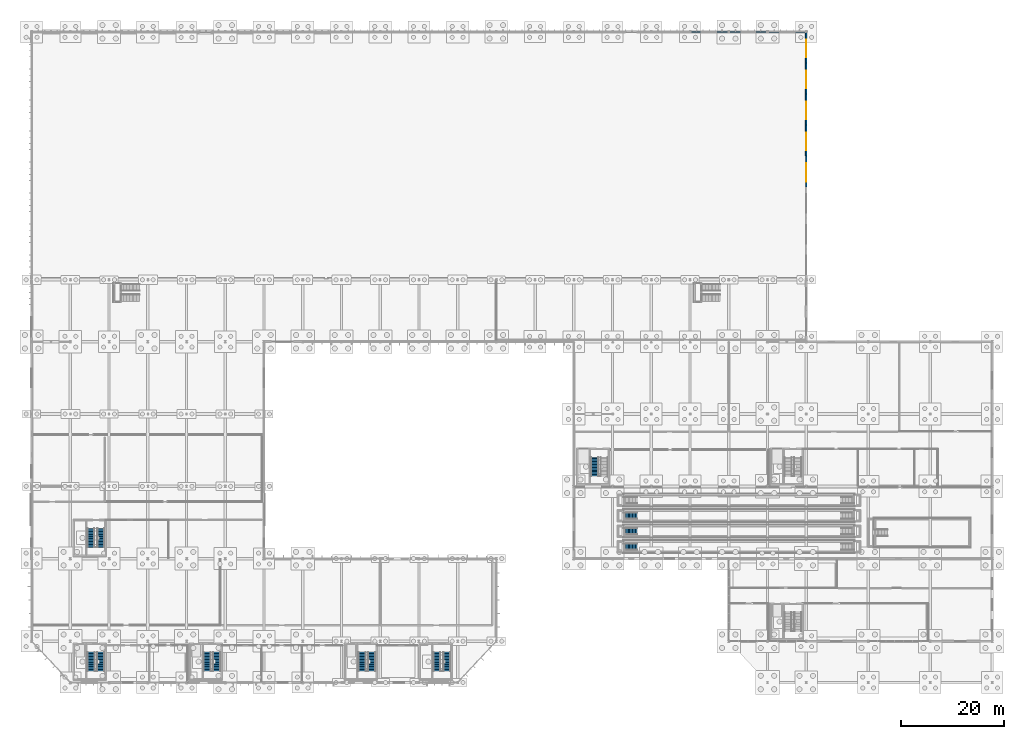
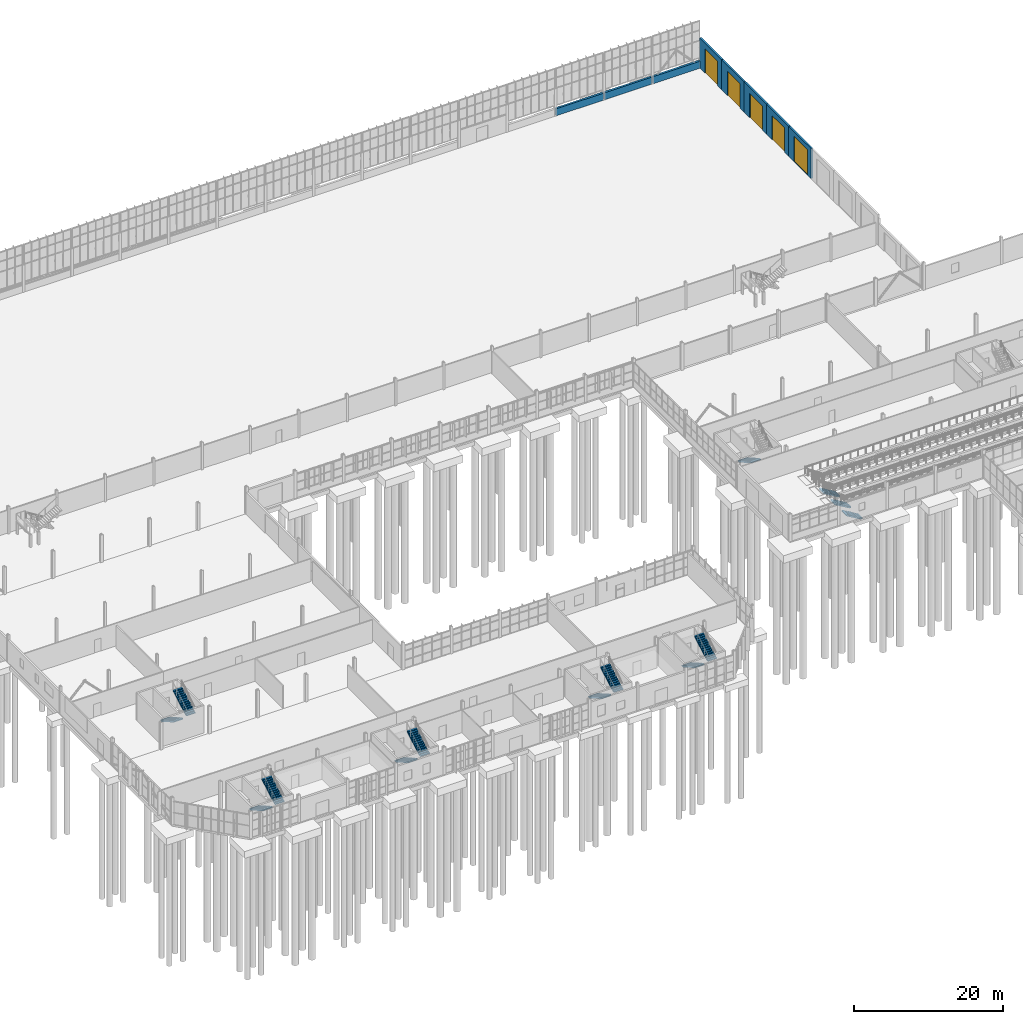
# One storey, part 117 of 136: 14 stair flights, 8 walls, 5 doors, 5 openings, 9 elements without a shape of their own.
"""IFC4 building model written with IfcOpenShell, lengths in metres."""

import ifcopenshell
import ifcopenshell.guid

model = None  # the IFC model being written
_history = None  # IfcOwnerHistory: only IFC2X3 demands one
_inside = {}  # id of a spatial element -> (the spatial element, [elements in it])
_under = {}  # id of a project, library or spatial element -> (it, [spatial elements below it])
_declared = {}  # id of a project -> (the project, [libraries it declares])
_typed = {}  # id of a type object -> (the type object, [elements of that type])
_made_of = {}  # id of a material, layer set ... -> (it, [elements and type objects made of it])


def new_model(schema):
    """Start an empty IFC model of exactly this schema.

    Asked for "IFC4X3", IfcOpenShell would pick the latest addendum, in which some entities
    have other attributes; the version numbers below select the first issue.
    IFC2X3 requires an IfcOwnerHistory on every rooted entity: one is made here for all.
    """
    global model, _history
    if schema == "IFC4X3":
        model = ifcopenshell.file(schema_version=(4, 3, 0, 0))
    else:
        model = ifcopenshell.file(schema=schema)
    _inside.clear()
    _under.clear()
    _declared.clear()
    _typed.clear()
    _made_of.clear()
    _history = None
    if model.schema == "IFC2X3":
        org = make("IfcOrganization", Name="unknown")
        user = make(
            "IfcPersonAndOrganization",
            ThePerson=make("IfcPerson", FamilyName="unknown"),
            TheOrganization=org,
        )
        app = make(
            "IfcApplication",
            ApplicationDeveloper=org,
            Version="unknown",
            ApplicationFullName="unknown",
            ApplicationIdentifier="unknown",
        )
        _history = make(
            "IfcOwnerHistory",
            OwningUser=user,
            OwningApplication=app,
            ChangeAction="ADDED",
            CreationDate=0,
        )
    return model


def make(cls, **values):
    """One entity of the class cls with the attributes given. An attribute that is None is left unset."""
    return model.create_entity(
        cls, **{name: value for name, value in values.items() if value is not None}
    )


def rooted(cls, **values):
    """An entity with a GlobalId (a new one), such as an element, a storey or a relation."""
    return make(cls, GlobalId=ifcopenshell.guid.new(), OwnerHistory=_history, **values)


def si_unit(unit_type, name, prefix=None):
    """IfcSIUnit, for example si_unit("LENGTHUNIT", "METRE", prefix="MILLI")."""
    return make("IfcSIUnit", UnitType=unit_type, Prefix=prefix, Name=name)


def assignment(units):
    """IfcUnitAssignment: the units of a project."""
    return None if units is None else make("IfcUnitAssignment", Units=units)


def point(xyz):
    """IfcCartesianPoint."""
    return None if xyz is None else make("IfcCartesianPoint", Coordinates=xyz)


def direction(xyz):
    """IfcDirection."""
    return None if xyz is None else make("IfcDirection", DirectionRatios=xyz)


def frame(location, z_axis=None, x_axis=None):
    """IfcAxis2Placement3D, a coordinate frame: its origin and axes. An axis left out is left unset."""
    return make(
        "IfcAxis2Placement3D",
        Location=point(location),
        Axis=direction(z_axis),
        RefDirection=direction(x_axis),
    )


def frame_2d(location, x_axis=None):
    """IfcAxis2Placement2D, a coordinate frame in the plane: its origin and x axis."""
    return make(
        "IfcAxis2Placement2D", Location=point(location), RefDirection=direction(x_axis)
    )


def origin():
    """The frame at (0, 0, 0) with its axes left unset."""
    return frame((0.0, 0.0, 0.0))


def place(relative_to, where):
    """IfcLocalPlacement: puts the frame where relative to a parent placement (None: the world)."""
    return make(
        "IfcLocalPlacement", PlacementRelTo=relative_to, RelativePlacement=where
    )


def context(
    kind, dimensions, precision=None, world=None, true_north=None, identifier=None
):
    """IfcGeometricRepresentationContext, for example the 3D "Model" context."""
    return make(
        "IfcGeometricRepresentationContext",
        ContextIdentifier=identifier,
        ContextType=kind,
        CoordinateSpaceDimension=dimensions,
        Precision=precision,
        WorldCoordinateSystem=world,
        TrueNorth=true_north,
    )


def subcontext(parent, identifier, kind, view, scale=None):
    """IfcGeometricRepresentationSubContext, for example "Body" below "Model"."""
    return make(
        "IfcGeometricRepresentationSubContext",
        ContextIdentifier=identifier,
        ContextType=kind,
        ParentContext=parent,
        TargetScale=scale,
        TargetView=view,
    )


def project(units=None, contexts=None):
    """IfcProject with its units and contexts."""
    return rooted(
        "IfcProject",
        Name="project",
        RepresentationContexts=contexts,
        UnitsInContext=assignment(units),
    )


def spatial(cls, under=None, at=None, **own):
    """A site, building, storey or space (cls), placed at a placement, below another one or the project."""
    s = rooted(cls, ObjectPlacement=at, **own)
    if under is not None:
        _under.setdefault(under.id(), (under, []))[1].append(s)
    return s


def polyline(points):
    """IfcPolyline through the points."""
    return make("IfcPolyline", Points=[point(p) for p in points])


def profile(cls, at=None, kind="AREA", **sizes):
    """A parametric profile (cls). Its sizes go by their IFC names, for example OverallWidth=200.0."""
    return make(cls, ProfileType=kind, Position=at, **sizes)


def rectangle(**sizes):
    """IfcRectangleProfileDef."""
    return profile("IfcRectangleProfileDef", **sizes)


def outline(outer, holes=None, kind="AREA"):
    """IfcArbitraryClosedProfileDef: a profile drawn as a closed curve; with holes, ...WithVoids."""
    if holes is None:
        return make("IfcArbitraryClosedProfileDef", ProfileType=kind, OuterCurve=outer)
    return make(
        "IfcArbitraryProfileDefWithVoids",
        ProfileType=kind,
        OuterCurve=outer,
        InnerCurves=holes,
    )


def extrude(swept, where, along, depth):
    """IfcExtrudedAreaSolid: the profile swept, set in the frame where, extruded along a direction by depth."""
    return make(
        "IfcExtrudedAreaSolid",
        SweptArea=swept,
        Position=where,
        ExtrudedDirection=direction(along),
        Depth=depth,
    )


def shape(context_of_items, identifier, shape_type, items):
    """IfcShapeRepresentation: the items that make up one representation, for example the "Body"."""
    return make(
        "IfcShapeRepresentation",
        ContextOfItems=context_of_items,
        RepresentationIdentifier=identifier,
        RepresentationType=shape_type,
        Items=items,
    )


def material(Name=None, Category=None):
    """IfcMaterial."""
    return make("IfcMaterial", Name=Name, Category=Category)


def layer(
    of_material, thickness, ventilated=None, Name=None, Category=None, Priority=None
):
    """IfcMaterialLayer: one layer of a wall or slab, of a material (None: an air gap)."""
    return make(
        "IfcMaterialLayer",
        Material=of_material,
        LayerThickness=thickness,
        IsVentilated=ventilated,
        Name=Name,
        Category=Category,
        Priority=Priority,
    )


def layer_set(layers, Name=None):
    """IfcMaterialLayerSet."""
    return make("IfcMaterialLayerSet", MaterialLayers=layers, LayerSetName=Name)


def made_of(thing, what):
    """Note that an element or type object is made of a material, layer set ...; save() writes the relation."""
    if what is not None:
        _made_of.setdefault(what.id(), (what, []))[1].append(thing)
    return thing


def type_object(cls, material=None, **own):
    """A type object (cls), such as IfcWallType, which elements share."""
    return made_of(rooted(cls, **own), material)


def element(
    cls,
    number,
    at=None,
    inside=None,
    cuts=None,
    type_object=None,
    material=None,
    context=None,
    identifier="Body",
    shape_type=None,
    held_by="IfcProductDefinitionShape",
    body=None,
    shapes=None,
    **own,
):
    """One element of the class cls, such as IfcWall. Its Tag is "e" and its number.

    at: its placement. inside: the storey or other place that contains it. cuts: it is an
    opening in that element (IfcRelVoidsElement). A single representation is given by context,
    identifier, shape_type and body (its items); several are given by shapes. held_by: the class
    of the entity that holds the representations. save() writes the other relations.
    """
    e = rooted(cls, Tag="e%d" % number, ObjectPlacement=at, **own)
    if body is not None:
        shapes = [shape(context, identifier, shape_type, body)]
    if shapes is not None:
        e.Representation = make(held_by, Representations=shapes)
    if inside is not None:
        _inside.setdefault(inside.id(), (inside, []))[1].append(e)
    if cuts is not None:
        rooted(
            "IfcRelVoidsElement", RelatingBuildingElement=cuts, RelatedOpeningElement=e
        )
    if type_object is not None:
        _typed.setdefault(type_object.id(), (type_object, []))[1].append(e)
    return made_of(e, material)


def fill(opening, filler):
    """IfcRelFillsElement: the door or window that sits in an opening."""
    return rooted(
        "IfcRelFillsElement",
        RelatingOpeningElement=opening,
        RelatedBuildingElement=filler,
    )


def aggregate(whole, parts):
    """IfcRelAggregates: a whole, such as a stair, and the parts it consists of."""
    return rooted("IfcRelAggregates", RelatingObject=whole, RelatedObjects=parts)


def save(model, path):
    """Write the relations noted so far, then the file.

    IfcRelAggregates (storeys below a building ...), IfcRelContainedInSpatialStructure (elements
    in a storey), IfcRelDefinesByType, IfcRelAssociatesMaterial and IfcRelDeclares: one each for
    every whole, place, type object, material and project.
    """
    for whole, parts in _under.values():
        aggregate(whole, parts)
    for where, things in _inside.values():
        rooted(
            "IfcRelContainedInSpatialStructure",
            RelatedElements=things,
            RelatingStructure=where,
        )
    for kind, things in _typed.values():
        rooted("IfcRelDefinesByType", RelatedObjects=things, RelatingType=kind)
    for what, things in _made_of.values():
        rooted("IfcRelAssociatesMaterial", RelatedObjects=things, RelatingMaterial=what)
    for by, libraries in _declared.values():
        rooted("IfcRelDeclares", RelatingContext=by, RelatedDefinitions=libraries)
    model.write(path)


model = new_model("IFC4")

# Units and contexts
model_context = context("Model", 3, precision=1e-05, world=origin(), true_north=direction((0.0, 1.0)))
body_context = subcontext(model_context, "Body", "Model", "MODEL_VIEW")
ifc_project = project(units=[si_unit("LENGTHUNIT", "METRE"), si_unit("AREAUNIT", "SQUARE_METRE"), si_unit("VOLUMEUNIT", "CUBIC_METRE"), si_unit("PLANEANGLEUNIT", "RADIAN"), si_unit("MASSUNIT", "GRAM", prefix="KILO")], contexts=[model_context])

# Site, building, storey
site_placement = place(None, origin())
site = spatial("IfcSite", under=ifc_project, at=site_placement, CompositionType="ELEMENT")
building_placement = place(site_placement, origin())
building = spatial("IfcBuilding", under=site, at=building_placement, Name="Solvenia Promenade Tram Depot", CompositionType="ELEMENT")
storey_placement = place(building_placement, origin())
storey = spatial("IfcBuildingStorey", under=building, at=storey_placement, Name="L00", CompositionType="ELEMENT", Elevation=0.0)

# Walls
ifc_material_1 = material(Name="Concrete C35/45", Category="concrete")
ifc_layer_1 = layer(ifc_material_1, 0.320068359375, Name="Concrete C35/45", Category="concrete")
ifc_layer_set_1 = layer_set([ifc_layer_1], Name="Concrete C35/45")
wall_type_1 = type_object("IfcWallType", Name="Wall-Plinth-320", PredefinedType="SOLIDWALL", material=ifc_layer_set_1)
for number, where, z_axis, x_axis, name in (
    (1, (127.580078125, 126.0, 0.0), (0.0, 0.0, 1.0), (1.0, 0.0, 0.0), "North Sun-Warmed Thermal Plinth EW-L00-018"),
    (2, (135.080078125, 126.0, 0.0), (0.0, 0.0, 1.0), (1.0, 0.0, 0.0), "North Sun-Warmed Thermal Plinth EW-L00-019"),
    (3, (142.580078125, 126.0, 0.0), (0.0, 0.0, 1.0), (1.0, 0.0, 0.0), "North Sun-Warmed Thermal Plinth EW-L00-020"),
):
    element("IfcWall", number, at=place(storey_placement, frame(where, z_axis=z_axis, x_axis=x_axis)), inside=storey, type_object=wall_type_1, Name=name, PredefinedType="SOLIDWALL", context=body_context, shape_type="SweptSolid", body=[
        extrude(rectangle(XDim=7.33984375, YDim=0.320068359375, at=frame_2d((3.669921875, 0.0))), origin(), (0.0, 0.0, 1.0), 1.14990234375),
    ])

# Wall, opening, door
ifc_layer_2 = layer(ifc_material_1, 0.280029296875, Name="Concrete C35/45", Category="concrete")
ifc_layer_set_2 = layer_set([ifc_layer_2], Name="Concrete C35/45")
wall_type_2 = type_object("IfcWallType", Name="Wall-Portal-280", PredefinedType="SOLIDWALL", material=ifc_layer_set_2)
wall_1_placement = place(storey_placement, frame((150.0, 96.0, 0.0), z_axis=(0.0, 0.0, 1.0), x_axis=(0.0, 1.0, 0.0)))
wall_1 = element("IfcWall", 4, at=wall_1_placement, inside=storey, type_object=wall_type_2, Name="East Track Bay 6 Portal Wall EW-L00-044", PredefinedType="SOLIDWALL", context=body_context, shape_type="SweptSolid", body=[
    extrude(rectangle(XDim=6.0, YDim=0.280029296875, at=frame_2d((3.0, 0.0))), origin(), (0.0, 0.0, 1.0), 4.949951171875),
])
opening_1_placement = place(wall_1_placement, frame((0.97998046875, 0.0, 0.0)))
opening_1 = element("IfcOpeningElement", 5, at=opening_1_placement, cuts=wall_1, Name="Opening GT-E06", PredefinedType="OPENING", context=body_context, shape_type="SweptSolid", body=[
    extrude(rectangle(XDim=3.60009765625, YDim=4.199951171875, at=frame_2d((1.800048828125, 2.10009765625))), frame((0.0, 0.14990234375, 0.0), z_axis=(0.0, -1.0, 0.0), x_axis=(1.0, 0.0, 0.0)), (0.0, 0.0, 1.0), 0.300048828125),
])
ifc_material_2 = material(Name="Galvanized painted sheet steel", Category="steel")
door_type_1 = type_object("IfcDoorType", Name="Gate-Track-3600x4200", OperationType="NOTDEFINED", PredefinedType="GATE", material=ifc_material_2)
door_1_placement = place(opening_1_placement, origin())
door_1 = element("IfcDoor", 6, at=door_1_placement, inside=storey, type_object=door_type_1, Name="Overhead Track Shutter Door E06", OperationType="ROLLINGUP", OverallHeight=4.199951171875, OverallWidth=3.60009765625, PredefinedType="GATE", context=body_context, shape_type="SweptSolid", body=[
    extrude(rectangle(XDim=3.60009765625, YDim=4.199951171875, at=frame_2d((1.800048828125, 2.10009765625))), frame((0.0, 0.02490234375, 0.0), z_axis=(0.0, -1.0, 0.0), x_axis=(1.0, 0.0, 0.0)), (0.0, 0.0, 1.0), 0.050048828125),
])
fill(opening_1, door_1)

wall_2_placement = place(storey_placement, frame((150.0, 102.0, 0.0), z_axis=(0.0, 0.0, 1.0), x_axis=(0.0, 1.0, 0.0)))
wall_2 = element("IfcWall", 7, at=wall_2_placement, inside=storey, type_object=wall_type_2, Name="East Track Bay 7 Portal Wall EW-L00-045", PredefinedType="SOLIDWALL", context=body_context, shape_type="SweptSolid", body=[
    extrude(rectangle(XDim=6.0, YDim=0.280029296875, at=frame_2d((3.0, 0.0))), origin(), (0.0, 0.0, 1.0), 4.949951171875),
])
opening_2_placement = place(wall_2_placement, frame((1.080078125, 0.0, 0.0)))
opening_2 = element("IfcOpeningElement", 8, at=opening_2_placement, cuts=wall_2, Name="Opening GT-E07", PredefinedType="OPENING", context=body_context, shape_type="SweptSolid", body=[
    extrude(rectangle(XDim=3.39990234375, YDim=4.0, at=frame_2d((1.699951171875, 2.0))), frame((0.0, 0.14990234375, 0.0), z_axis=(0.0, -1.0, 0.0), x_axis=(1.0, 0.0, 0.0)), (0.0, 0.0, 1.0), 0.300048828125),
])
door_type_2 = type_object("IfcDoorType", Name="Gate-Track-3400x4000", OperationType="NOTDEFINED", PredefinedType="GATE", material=ifc_material_2)
door_2_placement = place(opening_2_placement, origin())
door_2 = element("IfcDoor", 9, at=door_2_placement, inside=storey, type_object=door_type_2, Name="Overhead Track Shutter Door E07", OperationType="ROLLINGUP", OverallHeight=4.0, OverallWidth=3.39990234375, PredefinedType="GATE", context=body_context, shape_type="SweptSolid", body=[
    extrude(rectangle(XDim=3.39990234375, YDim=4.0, at=frame_2d((1.699951171875, 2.0))), frame((0.0, 0.02490234375, 0.0), z_axis=(0.0, -1.0, 0.0), x_axis=(1.0, 0.0, 0.0)), (0.0, 0.0, 1.0), 0.050048828125),
])
fill(opening_2, door_2)

wall_3_placement = place(storey_placement, frame((150.0, 108.0, 0.0), z_axis=(0.0, 0.0, 1.0), x_axis=(0.0, 1.0, 0.0)))
wall_3 = element("IfcWall", 10, at=wall_3_placement, inside=storey, type_object=wall_type_2, Name="East Track Bay 8 Portal Wall EW-L00-046", PredefinedType="SOLIDWALL", context=body_context, shape_type="SweptSolid", body=[
    extrude(rectangle(XDim=6.0, YDim=0.280029296875, at=frame_2d((3.0, 0.0))), origin(), (0.0, 0.0, 1.0), 4.949951171875),
])
opening_3_placement = place(wall_3_placement, frame((1.080078125, 0.0, 0.0)))
opening_3 = element("IfcOpeningElement", 11, at=opening_3_placement, cuts=wall_3, Name="Opening GT-E08", PredefinedType="OPENING", context=body_context, shape_type="SweptSolid", body=[
    extrude(rectangle(XDim=3.39990234375, YDim=4.0, at=frame_2d((1.699951171875, 2.0))), frame((0.0, 0.14990234375, 0.0), z_axis=(0.0, -1.0, 0.0), x_axis=(1.0, 0.0, 0.0)), (0.0, 0.0, 1.0), 0.300048828125),
])
door_3_placement = place(opening_3_placement, origin())
door_3 = element("IfcDoor", 12, at=door_3_placement, inside=storey, type_object=door_type_2, Name="Overhead Track Shutter Door E08", OperationType="ROLLINGUP", OverallHeight=4.0, OverallWidth=3.39990234375, PredefinedType="GATE", context=body_context, shape_type="SweptSolid", body=[
    extrude(rectangle(XDim=3.39990234375, YDim=4.0, at=frame_2d((1.699951171875, 2.0))), frame((0.0, 0.02490234375, 0.0), z_axis=(0.0, -1.0, 0.0), x_axis=(1.0, 0.0, 0.0)), (0.0, 0.0, 1.0), 0.050048828125),
])
fill(opening_3, door_3)

wall_4_placement = place(storey_placement, frame((150.0, 114.0, 0.0), z_axis=(0.0, 0.0, 1.0), x_axis=(0.0, 1.0, 0.0)))
wall_4 = element("IfcWall", 13, at=wall_4_placement, inside=storey, type_object=wall_type_2, Name="East Track Bay 9 Portal Wall EW-L00-047", PredefinedType="SOLIDWALL", context=body_context, shape_type="SweptSolid", body=[
    extrude(rectangle(XDim=6.0, YDim=0.280029296875, at=frame_2d((3.0, 0.0))), origin(), (0.0, 0.0, 1.0), 4.949951171875),
])
opening_4_placement = place(wall_4_placement, frame((1.080078125, 0.0, 0.0)))
opening_4 = element("IfcOpeningElement", 14, at=opening_4_placement, cuts=wall_4, Name="Opening GT-E09", PredefinedType="OPENING", context=body_context, shape_type="SweptSolid", body=[
    extrude(rectangle(XDim=3.39990234375, YDim=4.0, at=frame_2d((1.699951171875, 2.0))), frame((0.0, 0.14990234375, 0.0), z_axis=(0.0, -1.0, 0.0), x_axis=(1.0, 0.0, 0.0)), (0.0, 0.0, 1.0), 0.300048828125),
])
door_4_placement = place(opening_4_placement, origin())
door_4 = element("IfcDoor", 15, at=door_4_placement, inside=storey, type_object=door_type_2, Name="Overhead Track Shutter Door E09", OperationType="ROLLINGUP", OverallHeight=4.0, OverallWidth=3.39990234375, PredefinedType="GATE", context=body_context, shape_type="SweptSolid", body=[
    extrude(rectangle(XDim=3.39990234375, YDim=4.0, at=frame_2d((1.699951171875, 2.0))), frame((0.0, 0.02490234375, 0.0), z_axis=(0.0, -1.0, 0.0), x_axis=(1.0, 0.0, 0.0)), (0.0, 0.0, 1.0), 0.050048828125),
])
fill(opening_4, door_4)

wall_5_placement = place(storey_placement, frame((150.0, 120.0, 0.0), z_axis=(0.0, 0.0, 1.0), x_axis=(0.0, 1.0, 0.0)))
wall_5 = element("IfcWall", 16, at=wall_5_placement, inside=storey, type_object=wall_type_2, Name="East Track Bay 10 Portal Wall EW-L00-048", PredefinedType="SOLIDWALL", context=body_context, shape_type="SweptSolid", body=[
    extrude(rectangle(XDim=5.919921875, YDim=0.280029296875, at=frame_2d((2.9599609375, 0.0))), origin(), (0.0, 0.0, 1.0), 4.949951171875),
])
opening_5_placement = place(wall_5_placement, frame((1.080078125, 0.0, 0.0)))
opening_5 = element("IfcOpeningElement", 17, at=opening_5_placement, cuts=wall_5, Name="Opening GT-E10", PredefinedType="OPENING", context=body_context, shape_type="SweptSolid", body=[
    extrude(rectangle(XDim=3.39990234375, YDim=4.0, at=frame_2d((1.699951171875, 2.0))), frame((0.0, 0.14990234375, 0.0), z_axis=(0.0, -1.0, 0.0), x_axis=(1.0, 0.0, 0.0)), (0.0, 0.0, 1.0), 0.300048828125),
])
door_5_placement = place(opening_5_placement, origin())
door_5 = element("IfcDoor", 18, at=door_5_placement, inside=storey, type_object=door_type_2, Name="Overhead Track Shutter Door E10", OperationType="ROLLINGUP", OverallHeight=4.0, OverallWidth=3.39990234375, PredefinedType="GATE", context=body_context, shape_type="SweptSolid", body=[
    extrude(rectangle(XDim=3.39990234375, YDim=4.0, at=frame_2d((1.699951171875, 2.0))), frame((0.0, 0.02490234375, 0.0), z_axis=(0.0, -1.0, 0.0), x_axis=(1.0, 0.0, 0.0)), (0.0, 0.0, 1.0), 0.050048828125),
])
fill(opening_5, door_5)

# Stair, stair flights
ifc_material_3 = material(Name="Concrete C28/35", Category="concrete")
stair_type_1 = type_object("IfcStairType", Name="Stair-Core-1400", PredefinedType="TWO_STRAIGHT_RUN_STAIR", material=ifc_material_3)
stair_1_placement = place(storey_placement, origin())
stair_1 = element("IfcStair", 19, at=stair_1_placement, inside=storey, type_object=stair_type_1, Name="Enclosed Exit Stair ST-04-L00", PredefinedType="TWO_STRAIGHT_RUN_STAIR")
stair_flight_type_1 = type_object("IfcStairFlightType", Name="Flight-Core-1400", PredefinedType="STRAIGHT", material=ifc_material_3)
stair_flight_1_placement = place(storey_placement, frame((78.47998046875, 5.8701171875, 0.0), z_axis=(0.0, 0.0, 1.0), x_axis=(0.0, -1.0, 0.0)))
stair_flight_1 = element("IfcStairFlight", 20, at=stair_flight_1_placement, type_object=stair_flight_type_1, Name="ST-04-L00 flight 1", NumberOfRisers=14, NumberOfTreads=13, PredefinedType="STRAIGHT", RiserHeight=0.160714286, TreadLength=0.28, context=body_context, shape_type="SweptSolid", body=[
    extrude(outline(polyline([(0.0, 0.0), (0.0, 0.16064453125), (0.280029296875, 0.16064453125), (0.280029296875, 0.321533203125), (0.56005859375, 0.321533203125), (0.56005859375, 0.482177734375), (0.840087890625, 0.482177734375), (0.840087890625, 0.642822265625), (1.1201171875, 0.642822265625), (1.1201171875, 0.803466796875), (1.39990234375, 0.803466796875), (1.39990234375, 0.96435546875), (1.679931640625, 0.96435546875), (1.679931640625, 1.125), (1.9599609375, 1.125), (1.9599609375, 1.28564453125), (2.239990234375, 1.28564453125), (2.239990234375, 1.446533203125), (2.52001953125, 1.446533203125), (2.52001953125, 1.607177734375), (2.800048828125, 1.607177734375), (2.800048828125, 1.767822265625), (3.080078125, 1.767822265625), (3.080078125, 1.928466796875), (3.360107421875, 1.928466796875), (3.360107421875, 2.08935546875), (3.639892578125, 2.08935546875), (3.639892578125, 2.25), (3.639892578125, 1.90478515625), (0.3212890625, 0.0), (0.0, 0.0)])), frame((0.0, 0.699951171875, 0.0), z_axis=(0.0, -1.0, 0.0), x_axis=(1.0, 0.0, 0.0)), (0.0, 0.0, 1.0), 1.39990234375),
])
stair_flight_2_placement = place(storey_placement, frame((80.419921875, 2.22998046875, 2.25), z_axis=(0.0, 0.0, 1.0), x_axis=(0.0, 1.0, 0.0)))
stair_flight_2 = element("IfcStairFlight", 21, at=stair_flight_2_placement, type_object=stair_flight_type_1, Name="ST-04-L00 flight 2", NumberOfRisers=14, NumberOfTreads=13, PredefinedType="STRAIGHT", RiserHeight=0.160714286, TreadLength=0.28, context=body_context, shape_type="SweptSolid", body=[
    extrude(outline(polyline([(0.0, 0.0), (0.0, 0.16064453125), (0.280029296875, 0.16064453125), (0.280029296875, 0.321533203125), (0.56005859375, 0.321533203125), (0.56005859375, 0.482177734375), (0.840087890625, 0.482177734375), (0.840087890625, 0.642822265625), (1.1201171875, 0.642822265625), (1.1201171875, 0.803466796875), (1.39990234375, 0.803466796875), (1.39990234375, 0.96435546875), (1.679931640625, 0.96435546875), (1.679931640625, 1.125), (1.9599609375, 1.125), (1.9599609375, 1.28564453125), (2.239990234375, 1.28564453125), (2.239990234375, 1.446533203125), (2.52001953125, 1.446533203125), (2.52001953125, 1.607177734375), (2.800048828125, 1.607177734375), (2.800048828125, 1.767822265625), (3.080078125, 1.767822265625), (3.080078125, 1.928466796875), (3.360107421875, 1.928466796875), (3.360107421875, 2.08935546875), (3.639892578125, 2.08935546875), (3.639892578125, 2.25), (3.639892578125, 1.90478515625), (0.3212890625, 0.0), (0.0, 0.0)])), frame((0.0, 0.699951171875, 0.0), z_axis=(0.0, -1.0, 0.0), x_axis=(1.0, 0.0, 0.0)), (0.0, 0.0, 1.0), 1.39990234375),
])
aggregate(stair_1, [stair_flight_1, stair_flight_2])

stair_2_placement = place(storey_placement, origin())
stair_2 = element("IfcStair", 22, at=stair_2_placement, inside=storey, type_object=stair_type_1, Name="Enclosed Exit Stair ST-07-L00", PredefinedType="TWO_STRAIGHT_RUN_STAIR")
stair_flight_3_placement = place(storey_placement, frame((11.47998046875, 29.820068359375, 0.0), z_axis=(0.0, 0.0, 1.0), x_axis=(0.0, -1.0, 0.0)))
stair_flight_3 = element("IfcStairFlight", 23, at=stair_flight_3_placement, type_object=stair_flight_type_1, Name="ST-07-L00 flight 1", NumberOfRisers=14, NumberOfTreads=13, PredefinedType="STRAIGHT", RiserHeight=0.160714286, TreadLength=0.28, context=body_context, shape_type="SweptSolid", body=[
    extrude(outline(polyline([(0.0, 0.0), (0.0, 0.16064453125), (0.280029296875, 0.16064453125), (0.280029296875, 0.321533203125), (0.56005859375, 0.321533203125), (0.56005859375, 0.482177734375), (0.840087890625, 0.482177734375), (0.840087890625, 0.642822265625), (1.1201171875, 0.642822265625), (1.1201171875, 0.803466796875), (1.39990234375, 0.803466796875), (1.39990234375, 0.96435546875), (1.679931640625, 0.96435546875), (1.679931640625, 1.125), (1.9599609375, 1.125), (1.9599609375, 1.28564453125), (2.239990234375, 1.28564453125), (2.239990234375, 1.446533203125), (2.52001953125, 1.446533203125), (2.52001953125, 1.607177734375), (2.800048828125, 1.607177734375), (2.800048828125, 1.767822265625), (3.080078125, 1.767822265625), (3.080078125, 1.928466796875), (3.360107421875, 1.928466796875), (3.360107421875, 2.08935546875), (3.639892578125, 2.08935546875), (3.639892578125, 2.25), (3.639892578125, 1.90478515625), (0.3212890625, 0.0), (0.0, 0.0)])), frame((0.0, 0.699951171875, 0.0), z_axis=(0.0, -1.0, 0.0), x_axis=(1.0, 0.0, 0.0)), (0.0, 0.0, 1.0), 1.39990234375),
])
stair_flight_4_placement = place(storey_placement, frame((13.419921875, 26.179931640625, 2.25), z_axis=(0.0, 0.0, 1.0), x_axis=(0.0, 1.0, 0.0)))
stair_flight_4 = element("IfcStairFlight", 24, at=stair_flight_4_placement, type_object=stair_flight_type_1, Name="ST-07-L00 flight 2", NumberOfRisers=14, NumberOfTreads=13, PredefinedType="STRAIGHT", RiserHeight=0.160714286, TreadLength=0.28, context=body_context, shape_type="SweptSolid", body=[
    extrude(outline(polyline([(0.0, 0.0), (0.0, 0.16064453125), (0.280029296875, 0.16064453125), (0.280029296875, 0.321533203125), (0.56005859375, 0.321533203125), (0.56005859375, 0.482177734375), (0.840087890625, 0.482177734375), (0.840087890625, 0.642822265625), (1.1201171875, 0.642822265625), (1.1201171875, 0.803466796875), (1.39990234375, 0.803466796875), (1.39990234375, 0.96435546875), (1.679931640625, 0.96435546875), (1.679931640625, 1.125), (1.9599609375, 1.125), (1.9599609375, 1.28564453125), (2.239990234375, 1.28564453125), (2.239990234375, 1.446533203125), (2.52001953125, 1.446533203125), (2.52001953125, 1.607177734375), (2.800048828125, 1.607177734375), (2.800048828125, 1.767822265625), (3.080078125, 1.767822265625), (3.080078125, 1.928466796875), (3.360107421875, 1.928466796875), (3.360107421875, 2.08935546875), (3.639892578125, 2.08935546875), (3.639892578125, 2.25), (3.639892578125, 1.90478515625), (0.3212890625, 0.0), (0.0, 0.0)])), frame((0.0, 0.699951171875, 0.0), z_axis=(0.0, -1.0, 0.0), x_axis=(1.0, 0.0, 0.0)), (0.0, 0.0, 1.0), 1.39990234375),
])
aggregate(stair_2, [stair_flight_3, stair_flight_4])

stair_type_2 = type_object("IfcStairType", Name="Stair-Core-1460", PredefinedType="TWO_STRAIGHT_RUN_STAIR", material=ifc_material_3)
stair_3_placement = place(storey_placement, origin())
stair_3 = element("IfcStair", 25, at=stair_3_placement, inside=storey, type_object=stair_type_2, Name="Enclosed Exit Stair ST-01-L00", PredefinedType="TWO_STRAIGHT_RUN_STAIR")
stair_flight_type_2 = type_object("IfcStairFlightType", Name="Flight-Core-1460", PredefinedType="STRAIGHT", material=ifc_material_3)
stair_flight_5_placement = place(storey_placement, frame((11.510009765625, 5.8701171875, 0.0), z_axis=(0.0, 0.0, 1.0), x_axis=(0.0, -1.0, 0.0)))
stair_flight_5 = element("IfcStairFlight", 26, at=stair_flight_5_placement, type_object=stair_flight_type_2, Name="ST-01-L00 flight 1", NumberOfRisers=14, NumberOfTreads=13, PredefinedType="STRAIGHT", RiserHeight=0.160714286, TreadLength=0.28, context=body_context, shape_type="SweptSolid", body=[
    extrude(outline(polyline([(0.0, 0.0), (0.0, 0.16064453125), (0.280029296875, 0.16064453125), (0.280029296875, 0.321533203125), (0.56005859375, 0.321533203125), (0.56005859375, 0.482177734375), (0.840087890625, 0.482177734375), (0.840087890625, 0.642822265625), (1.1201171875, 0.642822265625), (1.1201171875, 0.803466796875), (1.39990234375, 0.803466796875), (1.39990234375, 0.96435546875), (1.679931640625, 0.96435546875), (1.679931640625, 1.125), (1.9599609375, 1.125), (1.9599609375, 1.28564453125), (2.239990234375, 1.28564453125), (2.239990234375, 1.446533203125), (2.52001953125, 1.446533203125), (2.52001953125, 1.607177734375), (2.800048828125, 1.607177734375), (2.800048828125, 1.767822265625), (3.080078125, 1.767822265625), (3.080078125, 1.928466796875), (3.360107421875, 1.928466796875), (3.360107421875, 2.08935546875), (3.639892578125, 2.08935546875), (3.639892578125, 2.25), (3.639892578125, 1.90478515625), (0.3212890625, 0.0), (0.0, 0.0)])), frame((0.0, 0.72998046875, 0.0), z_axis=(0.0, -1.0, 0.0), x_axis=(1.0, 0.0, 0.0)), (0.0, 0.0, 1.0), 1.4599609375),
])
stair_flight_6_placement = place(storey_placement, frame((13.389892578125, 2.22998046875, 2.25), z_axis=(0.0, 0.0, 1.0), x_axis=(0.0, 1.0, 0.0)))
stair_flight_6 = element("IfcStairFlight", 27, at=stair_flight_6_placement, type_object=stair_flight_type_2, Name="ST-01-L00 flight 2", NumberOfRisers=14, NumberOfTreads=13, PredefinedType="STRAIGHT", RiserHeight=0.160714286, TreadLength=0.28, context=body_context, shape_type="SweptSolid", body=[
    extrude(outline(polyline([(0.0, 0.0), (0.0, 0.16064453125), (0.280029296875, 0.16064453125), (0.280029296875, 0.321533203125), (0.56005859375, 0.321533203125), (0.56005859375, 0.482177734375), (0.840087890625, 0.482177734375), (0.840087890625, 0.642822265625), (1.1201171875, 0.642822265625), (1.1201171875, 0.803466796875), (1.39990234375, 0.803466796875), (1.39990234375, 0.96435546875), (1.679931640625, 0.96435546875), (1.679931640625, 1.125), (1.9599609375, 1.125), (1.9599609375, 1.28564453125), (2.239990234375, 1.28564453125), (2.239990234375, 1.446533203125), (2.52001953125, 1.446533203125), (2.52001953125, 1.607177734375), (2.800048828125, 1.607177734375), (2.800048828125, 1.767822265625), (3.080078125, 1.767822265625), (3.080078125, 1.928466796875), (3.360107421875, 1.928466796875), (3.360107421875, 2.08935546875), (3.639892578125, 2.08935546875), (3.639892578125, 2.25), (3.639892578125, 1.90478515625), (0.3212890625, 0.0), (0.0, 0.0)])), frame((0.0, 0.72998046875, 0.0), z_axis=(0.0, -1.0, 0.0), x_axis=(1.0, 0.0, 0.0)), (0.0, 0.0, 1.0), 1.4599609375),
])
aggregate(stair_3, [stair_flight_5, stair_flight_6])

stair_4_placement = place(storey_placement, origin())
stair_4 = element("IfcStair", 28, at=stair_4_placement, inside=storey, type_object=stair_type_2, Name="Enclosed Exit Stair ST-02-L00", PredefinedType="TWO_STRAIGHT_RUN_STAIR")
stair_flight_7_placement = place(storey_placement, frame((34.010009765625, 5.8701171875, 0.0), z_axis=(0.0, 0.0, 1.0), x_axis=(0.0, -1.0, 0.0)))
stair_flight_7 = element("IfcStairFlight", 29, at=stair_flight_7_placement, type_object=stair_flight_type_2, Name="ST-02-L00 flight 1", NumberOfRisers=14, NumberOfTreads=13, PredefinedType="STRAIGHT", RiserHeight=0.160714286, TreadLength=0.28, context=body_context, shape_type="SweptSolid", body=[
    extrude(outline(polyline([(0.0, 0.0), (0.0, 0.16064453125), (0.280029296875, 0.16064453125), (0.280029296875, 0.321533203125), (0.56005859375, 0.321533203125), (0.56005859375, 0.482177734375), (0.840087890625, 0.482177734375), (0.840087890625, 0.642822265625), (1.1201171875, 0.642822265625), (1.1201171875, 0.803466796875), (1.39990234375, 0.803466796875), (1.39990234375, 0.96435546875), (1.679931640625, 0.96435546875), (1.679931640625, 1.125), (1.9599609375, 1.125), (1.9599609375, 1.28564453125), (2.239990234375, 1.28564453125), (2.239990234375, 1.446533203125), (2.52001953125, 1.446533203125), (2.52001953125, 1.607177734375), (2.800048828125, 1.607177734375), (2.800048828125, 1.767822265625), (3.080078125, 1.767822265625), (3.080078125, 1.928466796875), (3.360107421875, 1.928466796875), (3.360107421875, 2.08935546875), (3.639892578125, 2.08935546875), (3.639892578125, 2.25), (3.639892578125, 1.90478515625), (0.3212890625, 0.0), (0.0, 0.0)])), frame((0.0, 0.72998046875, 0.0), z_axis=(0.0, -1.0, 0.0), x_axis=(1.0, 0.0, 0.0)), (0.0, 0.0, 1.0), 1.4599609375),
])
stair_flight_8_placement = place(storey_placement, frame((35.889892578125, 2.22998046875, 2.25), z_axis=(0.0, 0.0, 1.0), x_axis=(0.0, 1.0, 0.0)))
stair_flight_8 = element("IfcStairFlight", 30, at=stair_flight_8_placement, type_object=stair_flight_type_2, Name="ST-02-L00 flight 2", NumberOfRisers=14, NumberOfTreads=13, PredefinedType="STRAIGHT", RiserHeight=0.160714286, TreadLength=0.28, context=body_context, shape_type="SweptSolid", body=[
    extrude(outline(polyline([(0.0, 0.0), (0.0, 0.16064453125), (0.280029296875, 0.16064453125), (0.280029296875, 0.321533203125), (0.56005859375, 0.321533203125), (0.56005859375, 0.482177734375), (0.840087890625, 0.482177734375), (0.840087890625, 0.642822265625), (1.1201171875, 0.642822265625), (1.1201171875, 0.803466796875), (1.39990234375, 0.803466796875), (1.39990234375, 0.96435546875), (1.679931640625, 0.96435546875), (1.679931640625, 1.125), (1.9599609375, 1.125), (1.9599609375, 1.28564453125), (2.239990234375, 1.28564453125), (2.239990234375, 1.446533203125), (2.52001953125, 1.446533203125), (2.52001953125, 1.607177734375), (2.800048828125, 1.607177734375), (2.800048828125, 1.767822265625), (3.080078125, 1.767822265625), (3.080078125, 1.928466796875), (3.360107421875, 1.928466796875), (3.360107421875, 2.08935546875), (3.639892578125, 2.08935546875), (3.639892578125, 2.25), (3.639892578125, 1.90478515625), (0.3212890625, 0.0), (0.0, 0.0)])), frame((0.0, 0.72998046875, 0.0), z_axis=(0.0, -1.0, 0.0), x_axis=(1.0, 0.0, 0.0)), (0.0, 0.0, 1.0), 1.4599609375),
])
aggregate(stair_4, [stair_flight_7, stair_flight_8])

stair_5_placement = place(storey_placement, origin())
stair_5 = element("IfcStair", 31, at=stair_5_placement, inside=storey, type_object=stair_type_2, Name="Enclosed Exit Stair ST-03-L00", PredefinedType="TWO_STRAIGHT_RUN_STAIR")
stair_flight_9_placement = place(storey_placement, frame((64.010009765625, 5.8701171875, 0.0), z_axis=(0.0, 0.0, 1.0), x_axis=(0.0, -1.0, 0.0)))
stair_flight_9 = element("IfcStairFlight", 32, at=stair_flight_9_placement, type_object=stair_flight_type_2, Name="ST-03-L00 flight 1", NumberOfRisers=14, NumberOfTreads=13, PredefinedType="STRAIGHT", RiserHeight=0.160714286, TreadLength=0.28, context=body_context, shape_type="SweptSolid", body=[
    extrude(outline(polyline([(0.0, 0.0), (0.0, 0.16064453125), (0.280029296875, 0.16064453125), (0.280029296875, 0.321533203125), (0.56005859375, 0.321533203125), (0.56005859375, 0.482177734375), (0.840087890625, 0.482177734375), (0.840087890625, 0.642822265625), (1.1201171875, 0.642822265625), (1.1201171875, 0.803466796875), (1.39990234375, 0.803466796875), (1.39990234375, 0.96435546875), (1.679931640625, 0.96435546875), (1.679931640625, 1.125), (1.9599609375, 1.125), (1.9599609375, 1.28564453125), (2.239990234375, 1.28564453125), (2.239990234375, 1.446533203125), (2.52001953125, 1.446533203125), (2.52001953125, 1.607177734375), (2.800048828125, 1.607177734375), (2.800048828125, 1.767822265625), (3.080078125, 1.767822265625), (3.080078125, 1.928466796875), (3.360107421875, 1.928466796875), (3.360107421875, 2.08935546875), (3.639892578125, 2.08935546875), (3.639892578125, 2.25), (3.639892578125, 1.90478515625), (0.3212890625, 0.0), (0.0, 0.0)])), frame((0.0, 0.72998046875, 0.0), z_axis=(0.0, -1.0, 0.0), x_axis=(1.0, 0.0, 0.0)), (0.0, 0.0, 1.0), 1.4599609375),
])
stair_flight_10_placement = place(storey_placement, frame((65.889892578125, 2.22998046875, 2.25), z_axis=(0.0, 0.0, 1.0), x_axis=(0.0, 1.0, 0.0)))
stair_flight_10 = element("IfcStairFlight", 33, at=stair_flight_10_placement, type_object=stair_flight_type_2, Name="ST-03-L00 flight 2", NumberOfRisers=14, NumberOfTreads=13, PredefinedType="STRAIGHT", RiserHeight=0.160714286, TreadLength=0.28, context=body_context, shape_type="SweptSolid", body=[
    extrude(outline(polyline([(0.0, 0.0), (0.0, 0.16064453125), (0.280029296875, 0.16064453125), (0.280029296875, 0.321533203125), (0.56005859375, 0.321533203125), (0.56005859375, 0.482177734375), (0.840087890625, 0.482177734375), (0.840087890625, 0.642822265625), (1.1201171875, 0.642822265625), (1.1201171875, 0.803466796875), (1.39990234375, 0.803466796875), (1.39990234375, 0.96435546875), (1.679931640625, 0.96435546875), (1.679931640625, 1.125), (1.9599609375, 1.125), (1.9599609375, 1.28564453125), (2.239990234375, 1.28564453125), (2.239990234375, 1.446533203125), (2.52001953125, 1.446533203125), (2.52001953125, 1.607177734375), (2.800048828125, 1.607177734375), (2.800048828125, 1.767822265625), (3.080078125, 1.767822265625), (3.080078125, 1.928466796875), (3.360107421875, 1.928466796875), (3.360107421875, 2.08935546875), (3.639892578125, 2.08935546875), (3.639892578125, 2.25), (3.639892578125, 1.90478515625), (0.3212890625, 0.0), (0.0, 0.0)])), frame((0.0, 0.72998046875, 0.0), z_axis=(0.0, -1.0, 0.0), x_axis=(1.0, 0.0, 0.0)), (0.0, 0.0, 1.0), 1.4599609375),
])
aggregate(stair_5, [stair_flight_9, stair_flight_10])

# Stair, stair flight
stair_6_placement = place(storey_placement, origin())
stair_6 = element("IfcStair", 34, at=stair_6_placement, inside=storey, type_object=stair_type_2, Name="Enclosed Exit Stair ST-05-L00", PredefinedType="TWO_STRAIGHT_RUN_STAIR")
stair_flight_11_placement = place(storey_placement, frame((109.010009765625, 43.6201171875, 0.0), z_axis=(0.0, 0.0, 1.0), x_axis=(0.0, -1.0, 0.0)))
stair_flight_11 = element("IfcStairFlight", 35, at=stair_flight_11_placement, type_object=stair_flight_type_2, Name="ST-05-L00 flight 1", NumberOfRisers=14, NumberOfTreads=13, PredefinedType="STRAIGHT", RiserHeight=0.160714286, TreadLength=0.28, context=body_context, shape_type="SweptSolid", body=[
    extrude(outline(polyline([(0.0, 0.0), (0.0, 0.16064453125), (0.280029296875, 0.16064453125), (0.280029296875, 0.321533203125), (0.56005859375, 0.321533203125), (0.56005859375, 0.482177734375), (0.840087890625, 0.482177734375), (0.840087890625, 0.642822265625), (1.1201171875, 0.642822265625), (1.1201171875, 0.803466796875), (1.39990234375, 0.803466796875), (1.39990234375, 0.96435546875), (1.679931640625, 0.96435546875), (1.679931640625, 1.125), (1.9599609375, 1.125), (1.9599609375, 1.28564453125), (2.239990234375, 1.28564453125), (2.239990234375, 1.446533203125), (2.52001953125, 1.446533203125), (2.52001953125, 1.607177734375), (2.800048828125, 1.607177734375), (2.800048828125, 1.767822265625), (3.080078125, 1.767822265625), (3.080078125, 1.928466796875), (3.360107421875, 1.928466796875), (3.360107421875, 2.08935546875), (3.639892578125, 2.08935546875), (3.639892578125, 2.25), (3.639892578125, 1.90478515625), (0.3212890625, 0.0), (0.0, 0.0)])), frame((0.0, 0.72998046875, 0.0), z_axis=(0.0, -1.0, 0.0), x_axis=(1.0, 0.0, 0.0)), (0.0, 0.0, 1.0), 1.4599609375),
])
aggregate(stair_6, [stair_flight_11])

stair_type_3 = type_object("IfcStairType", Name="Stair-Pit-1120", PredefinedType="STRAIGHT_RUN_STAIR", material=ifc_material_3)
stair_7_placement = place(storey_placement, origin())
stair_7 = element("IfcStair", 36, at=stair_7_placement, inside=storey, type_object=stair_type_3, Name="Inspection Pit Bay 1 Access Stair ST-PIT-01", PredefinedType="STRAIGHT_RUN_STAIR")
stair_flight_type_3 = type_object("IfcStairFlightType", Name="Flight-Pit-1120", PredefinedType="STRAIGHT", material=ifc_material_3)
stair_flight_12_placement = place(storey_placement, frame((117.219970703125, 26.300048828125, -1.675048828125), z_axis=(0.0, 0.0, 1.0), x_axis=(-1.0, 0.0, 0.0)))
stair_flight_12 = element("IfcStairFlight", 37, at=stair_flight_12_placement, type_object=stair_flight_type_3, Name="ST-PIT-01 flight 1", NumberOfRisers=10, NumberOfTreads=9, PredefinedType="STRAIGHT", RiserHeight=0.1675, TreadLength=0.28, context=body_context, shape_type="SweptSolid", body=[
    extrude(outline(polyline([(0.0, 0.0), (0.0, 0.16748046875), (0.280029296875, 0.16748046875), (0.280029296875, 0.3349609375), (0.56005859375, 0.3349609375), (0.56005859375, 0.50244140625), (0.840087890625, 0.50244140625), (0.840087890625, 0.669921875), (1.1201171875, 0.669921875), (1.1201171875, 0.83740234375), (1.39990234375, 0.83740234375), (1.39990234375, 1.0048828125), (1.679931640625, 1.0048828125), (1.679931640625, 1.172607421875), (1.9599609375, 1.172607421875), (1.9599609375, 1.340087890625), (2.239990234375, 1.340087890625), (2.239990234375, 1.507568359375), (2.52001953125, 1.507568359375), (2.52001953125, 1.675048828125), (2.52001953125, 1.332763671875), (0.2919921875, 0.0), (0.0, 0.0)])), frame((0.0, 0.6201171875, 0.0), z_axis=(0.0, -1.0, 0.0), x_axis=(1.0, 0.0, 0.0)), (0.0, 0.0, 1.0), 1.239990234375),
])
aggregate(stair_7, [stair_flight_12])

stair_8_placement = place(storey_placement, origin())
stair_8 = element("IfcStair", 38, at=stair_8_placement, inside=storey, type_object=stair_type_3, Name="Inspection Pit Bay 2 Access Stair ST-PIT-02", PredefinedType="STRAIGHT_RUN_STAIR")
stair_flight_13_placement = place(storey_placement, frame((117.219970703125, 29.300048828125, -1.675048828125), z_axis=(0.0, 0.0, 1.0), x_axis=(-1.0, 0.0, 0.0)))
stair_flight_13 = element("IfcStairFlight", 39, at=stair_flight_13_placement, type_object=stair_flight_type_3, Name="ST-PIT-02 flight 1", NumberOfRisers=10, NumberOfTreads=9, PredefinedType="STRAIGHT", RiserHeight=0.1675, TreadLength=0.28, context=body_context, shape_type="SweptSolid", body=[
    extrude(outline(polyline([(0.0, 0.0), (0.0, 0.16748046875), (0.280029296875, 0.16748046875), (0.280029296875, 0.3349609375), (0.56005859375, 0.3349609375), (0.56005859375, 0.50244140625), (0.840087890625, 0.50244140625), (0.840087890625, 0.669921875), (1.1201171875, 0.669921875), (1.1201171875, 0.83740234375), (1.39990234375, 0.83740234375), (1.39990234375, 1.0048828125), (1.679931640625, 1.0048828125), (1.679931640625, 1.172607421875), (1.9599609375, 1.172607421875), (1.9599609375, 1.340087890625), (2.239990234375, 1.340087890625), (2.239990234375, 1.507568359375), (2.52001953125, 1.507568359375), (2.52001953125, 1.675048828125), (2.52001953125, 1.332763671875), (0.2919921875, 0.0), (0.0, 0.0)])), frame((0.0, 0.6201171875, 0.0), z_axis=(0.0, -1.0, 0.0), x_axis=(1.0, 0.0, 0.0)), (0.0, 0.0, 1.0), 1.239990234375),
])
aggregate(stair_8, [stair_flight_13])

stair_9_placement = place(storey_placement, origin())
stair_9 = element("IfcStair", 40, at=stair_9_placement, inside=storey, type_object=stair_type_3, Name="Inspection Pit Bay 3 Access Stair ST-PIT-03", PredefinedType="STRAIGHT_RUN_STAIR")
stair_flight_14_placement = place(storey_placement, frame((117.219970703125, 32.300048828125, -1.675048828125), z_axis=(0.0, 0.0, 1.0), x_axis=(-1.0, 0.0, 0.0)))
stair_flight_14 = element("IfcStairFlight", 41, at=stair_flight_14_placement, type_object=stair_flight_type_3, Name="ST-PIT-03 flight 1", NumberOfRisers=10, NumberOfTreads=9, PredefinedType="STRAIGHT", RiserHeight=0.1675, TreadLength=0.28, context=body_context, shape_type="SweptSolid", body=[
    extrude(outline(polyline([(0.0, 0.0), (0.0, 0.16748046875), (0.280029296875, 0.16748046875), (0.280029296875, 0.3349609375), (0.56005859375, 0.3349609375), (0.56005859375, 0.50244140625), (0.840087890625, 0.50244140625), (0.840087890625, 0.669921875), (1.1201171875, 0.669921875), (1.1201171875, 0.83740234375), (1.39990234375, 0.83740234375), (1.39990234375, 1.0048828125), (1.679931640625, 1.0048828125), (1.679931640625, 1.172607421875), (1.9599609375, 1.172607421875), (1.9599609375, 1.340087890625), (2.239990234375, 1.340087890625), (2.239990234375, 1.507568359375), (2.52001953125, 1.507568359375), (2.52001953125, 1.675048828125), (2.52001953125, 1.332763671875), (0.2919921875, 0.0), (0.0, 0.0)])), frame((0.0, 0.6201171875, 0.0), z_axis=(0.0, -1.0, 0.0), x_axis=(1.0, 0.0, 0.0)), (0.0, 0.0, 1.0), 1.239990234375),
])
aggregate(stair_9, [stair_flight_14])

save(model, "model.ifc")
